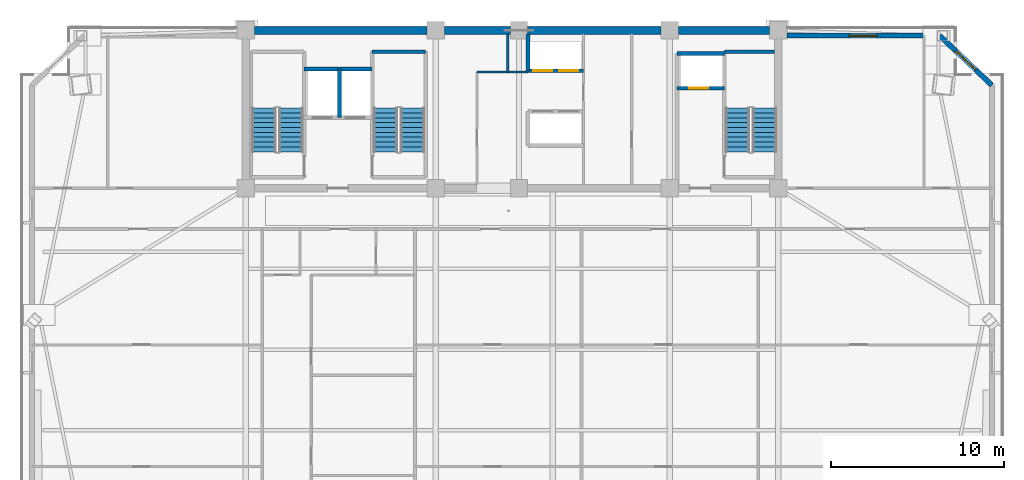
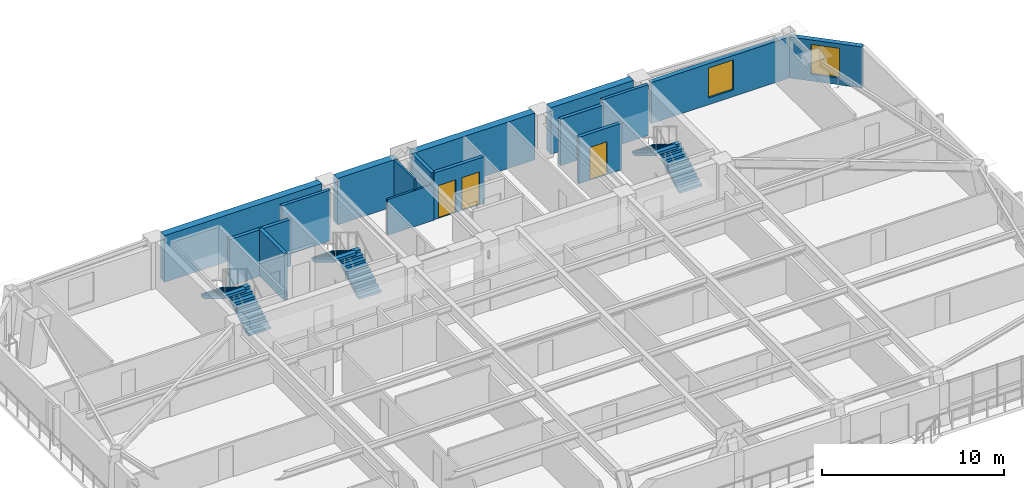
# One storey, part 11 of 16: 16 walls, 6 stair flights, 3 doors, 2 windows, 5 openings, 3 elements without a shape of their own.
"""IFC4 building model written with IfcOpenShell, lengths in metres."""

from ifc_helpers import new_model, si_unit, direction, frame, frame_2d, origin, place, context, subcontext, project, spatial, polyline, rectangle, outline, extrude, source, transform, mapped, material, layer, layer_set, type_object, element, fill, aggregate, save


model = new_model("IFC4")

# Units and contexts
model_context = context("Model", 3, precision=1e-05, world=origin(), true_north=direction((0.0, 1.0)))
body_context = subcontext(model_context, "Body", "Model", "MODEL_VIEW")
ifc_project = project(units=[si_unit("LENGTHUNIT", "METRE"), si_unit("AREAUNIT", "SQUARE_METRE"), si_unit("VOLUMEUNIT", "CUBIC_METRE"), si_unit("PLANEANGLEUNIT", "RADIAN"), si_unit("MASSUNIT", "GRAM", prefix="KILO")], contexts=[model_context])

# Site, building, storey
site_placement = place(None, origin())
site = spatial("IfcSite", under=ifc_project, at=site_placement, CompositionType="ELEMENT")
building_placement = place(site_placement, origin())
building = spatial("IfcBuilding", under=site, at=building_placement, Name="Giltprow Tower", CompositionType="ELEMENT")
storey_placement = place(building_placement, frame((0.0, 0.0, 233.800048828125)))
storey = spatial("IfcBuildingStorey", under=building, at=storey_placement, Name="L59", CompositionType="ELEMENT", Elevation=233.800048828125)

# Wall, opening, window
ifc_material_1 = material(Name="Precast concrete C40", Category="concrete")
ifc_layer_1 = layer(ifc_material_1, 0.300048828125, Name="Precast concrete C40")
ifc_layer_set_1 = layer_set([ifc_layer_1], Name="Precast concrete C40")
wall_type_1 = type_object("IfcWallType", Name="EW-NOTCH-CHAMFER-300", PredefinedType="SOLIDWALL", material=ifc_layer_set_1)
wall_1_placement = place(storey_placement, frame((62.866943359375, 43.39306640625, 0.0), z_axis=(0.0, 0.0, 1.0), x_axis=(-0.724946525113, 0.688805150769, 0.0)))
wall_1 = element("IfcWall", 1, at=wall_1_placement, inside=storey, type_object=wall_type_1, Name="L59 Corner Notch Wall NE", PredefinedType="SOLIDWALL", context=body_context, shape_type="SweptSolid", body=[
    extrude(rectangle(XDim=4.147705078125, YDim=0.300048828125, at=frame_2d((2.07373046875, 0.0))), origin(), (0.0, 0.0, 1.0), 2.75),
])
opening_1_placement = place(wall_1_placement, frame((1.27392578125, 0.0, 0.449951171875)))
opening_1 = element("IfcOpeningElement", 2, at=opening_1_placement, cuts=wall_1, Name="Opening WN17", PredefinedType="OPENING", context=body_context, shape_type="SweptSolid", body=[
    extrude(rectangle(XDim=1.60009765625, YDim=2.0, at=frame_2d((0.800048828125, 1.0))), frame((0.0, 0.159912109375, 0.0), z_axis=(0.0, -1.0, 0.0), x_axis=(1.0, 0.0, 0.0)), (0.0, 0.0, 1.0), 0.320068359375),
])
ifc_material_2 = material(Name="Insulated glass", Category="glass")
window_type = type_object("IfcWindowType", Name="WN-COR-1600x2000", PartitioningType="SINGLE_PANEL", PredefinedType="WINDOW", material=ifc_material_2)
shared_shape_1 = source(origin(), body_context, "Body", "SweptSolid", [
    extrude(rectangle(XDim=1.60009765625, YDim=2.0, at=frame_2d((0.800048828125, 1.0))), frame((0.0, 0.030029296875, 0.0), z_axis=(0.0, -1.0, 0.0), x_axis=(1.0, 0.0, 0.0)), (0.0, 0.0, 1.0), 0.06005859375),
])
window_1_placement = place(opening_1_placement, origin())
window_1 = element("IfcWindow", 3, at=window_1_placement, inside=storey, type_object=window_type, Name="L59 Corner Notch Window NE", OverallHeight=2.0, OverallWidth=1.60009765625, PartitioningType="SINGLE_PANEL", PredefinedType="WINDOW", context=body_context, shape_type="MappedRepresentation", body=[
    mapped(shared_shape_1, transform((0.0, 0.0, 0.0), x_axis=(1.0, 0.0, 0.0), y_axis=(0.0, 1.0, 0.0), z_axis=(0.0, 0.0, 1.0), scale=1.0)),
])
fill(opening_1, window_1)

ifc_layer_2 = layer(ifc_material_1, 0.280029296875, Name="Precast concrete C40")
ifc_layer_set_2 = layer_set([ifc_layer_2], Name="Precast concrete C40")
wall_type_2 = type_object("IfcWallType", Name="EW-TOW-BRONZE-280", PredefinedType="SOLIDWALL", material=ifc_layer_set_2)
wall_2_placement = place(storey_placement, frame((51.050048828125, 46.25, 0.0), z_axis=(0.0, 0.0, 1.0), x_axis=(1.0, 0.0, 0.0)))
wall_2 = element("IfcWall", 4, at=wall_2_placement, inside=storey, type_object=wall_type_2, Name="L59 North-East Wing Wall", PredefinedType="SOLIDWALL", context=body_context, shape_type="SweptSolid", body=[
    extrude(rectangle(XDim=8.81005859375, YDim=0.280029296875, at=frame_2d((4.405029296875, 0.0))), origin(), (0.0, 0.0, 1.0), 2.75),
])
opening_2_placement = place(wall_2_placement, frame((3.60498046875, 0.0, 0.449951171875)))
opening_2 = element("IfcOpeningElement", 5, at=opening_2_placement, cuts=wall_2, Name="Opening WN17", PredefinedType="OPENING", context=body_context, shape_type="SweptSolid", body=[
    extrude(rectangle(XDim=1.60009765625, YDim=2.0, at=frame_2d((0.800048828125, 1.0))), frame((0.0, 0.14990234375, 0.0), z_axis=(0.0, -1.0, 0.0), x_axis=(1.0, 0.0, 0.0)), (0.0, 0.0, 1.0), 0.300048828125),
])
window_2_placement = place(opening_2_placement, origin())
window_2 = element("IfcWindow", 6, at=window_2_placement, inside=storey, type_object=window_type, Name="L59 North-East Window", OverallHeight=2.0, OverallWidth=1.60009765625, PartitioningType="SINGLE_PANEL", PredefinedType="WINDOW", context=body_context, shape_type="MappedRepresentation", body=[
    mapped(shared_shape_1, transform((0.0, 0.0, 0.0), x_axis=(1.0, 0.0, 0.0), y_axis=(0.0, 1.0, 0.0), z_axis=(0.0, 0.0, 1.0), scale=1.0)),
])
fill(opening_2, window_2)

# Walls
ifc_material_3 = material(Name="Concrete C40", Category="concrete")
ifc_layer_3 = layer(ifc_material_3, 0.219970703125, Name="Concrete C40")
ifc_layer_set_3 = layer_set([ifc_layer_3], Name="Concrete C40")
wall_type_3 = type_object("IfcWallType", Name="IW-SHAFT-220", PredefinedType="SOLIDWALL", material=ifc_layer_set_3)
wall_3_placement = place(storey_placement, frame((25.260009765625, 41.52001953125, 0.0), z_axis=(0.0, 0.0, 1.0), x_axis=(0.0, 1.0, 0.0)))
element("IfcWall", 7, at=wall_3_placement, inside=storey, type_object=wall_type_3, Name="L59 FFL1-SVL1 Shaft Divider", PredefinedType="SOLIDWALL", context=body_context, shape_type="SweptSolid", body=[
    extrude(rectangle(XDim=2.800048828125, YDim=0.219970703125, at=frame_2d((1.39990234375, 0.0))), origin(), (0.0, 0.0, 1.0), 3.119873046875),
])
wall_4_placement = place(storey_placement, frame((23.219970703125, 44.320068359375, 0.0), z_axis=(0.0, 0.0, 1.0), x_axis=(1.0, 0.0, 0.0)))
element("IfcWall", 8, at=wall_4_placement, inside=storey, type_object=wall_type_3, Name="L59 FFL1-SVL1 Back Shaft Wall", PredefinedType="SOLIDWALL", context=body_context, shape_type="SweptSolid", body=[
    extrude(rectangle(XDim=3.919921875, YDim=0.219970703125, at=frame_2d((1.9599609375, 0.0))), origin(), (0.0, 0.0, 1.0), 3.119873046875),
])

# Wall, opening, door
wall_5_placement = place(storey_placement, frame((44.719970703125, 43.219970703125, 0.0), z_axis=(0.0, 0.0, 1.0), x_axis=(1.0, 0.0, 0.0)))
wall_5 = element("IfcWall", 9, at=wall_5_placement, inside=storey, type_object=wall_type_3, Name="L59 FFL2 Front Shaft Wall", PredefinedType="SOLIDWALL", context=body_context, shape_type="SweptSolid", body=[
    extrude(rectangle(XDim=2.719970703125, YDim=0.219970703125, at=frame_2d((1.35986328125, 0.0))), origin(), (0.0, 0.0, 1.0), 3.119873046875),
])
opening_3_placement = place(wall_5_placement, frame((0.699951171875, 0.0, 0.0)))
opening_3 = element("IfcOpeningElement", 10, at=opening_3_placement, cuts=wall_5, Name="Opening LD-11", PredefinedType="OPENING", context=body_context, shape_type="SweptSolid", body=[
    extrude(rectangle(XDim=1.10009765625, YDim=2.199951171875, at=frame_2d((0.550048828125, 1.10009765625))), frame((0.0, 0.119873046875, 0.0), z_axis=(0.0, -1.0, 0.0), x_axis=(1.0, 0.0, 0.0)), (0.0, 0.0, 1.0), 0.239990234375),
])
ifc_material_4 = material(Name="Stainless steel", Category="steel")
door_type = type_object("IfcDoorType", Name="DR-LIFT-LD1100", OperationType="SLIDING_TO_LEFT", PredefinedType="DOOR", material=ifc_material_4)
shared_shape_2 = source(origin(), body_context, "Body", "SweptSolid", [
    extrude(rectangle(XDim=1.10009765625, YDim=2.199951171875, at=frame_2d((0.550048828125, 1.10009765625))), frame((0.0, 0.02490234375, 0.0), z_axis=(0.0, -1.0, 0.0), x_axis=(1.0, 0.0, 0.0)), (0.0, 0.0, 1.0), 0.050048828125),
])
door_1_placement = place(opening_3_placement, origin())
door_1 = element("IfcDoor", 11, at=door_1_placement, inside=storey, type_object=door_type, Name="L59 FFL2 Landing Door", OperationType="SLIDING_TO_LEFT", OverallHeight=2.199951171875, OverallWidth=1.10009765625, PredefinedType="DOOR", context=body_context, shape_type="MappedRepresentation", body=[
    mapped(shared_shape_2, transform((0.0, 0.0, 0.0), x_axis=(1.0, 0.0, 0.0), y_axis=(0.0, 1.0, 0.0), z_axis=(0.0, 0.0, 1.0), scale=1.0)),
])
fill(opening_3, door_1)

# Wall
wall_6_placement = place(storey_placement, frame((44.719970703125, 45.219970703125, 0.0), z_axis=(0.0, 0.0, 1.0), x_axis=(1.0, 0.0, 0.0)))
element("IfcWall", 12, at=wall_6_placement, inside=storey, type_object=wall_type_3, Name="L59 FFL2 Back Shaft Wall", PredefinedType="SOLIDWALL", context=body_context, shape_type="SweptSolid", body=[
    extrude(rectangle(XDim=2.719970703125, YDim=0.219970703125, at=frame_2d((1.35986328125, 0.0))), origin(), (0.0, 0.0, 1.0), 3.119873046875),
])

# Wall, openings, doors
wall_7_placement = place(storey_placement, frame((36.1201171875, 44.219970703125, 0.0), z_axis=(0.0, 0.0, 1.0), x_axis=(1.0, 0.0, 0.0)))
wall_7 = element("IfcWall", 13, at=wall_7_placement, inside=storey, type_object=wall_type_3, Name="L59 High-Rise Lift Shaft Front Wall N", PredefinedType="SOLIDWALL", context=body_context, shape_type="SweptSolid", body=[
    extrude(rectangle(XDim=3.199951171875, YDim=0.219970703125, at=frame_2d((1.60009765625, 0.0))), origin(), (0.0, 0.0, 1.0), 3.119873046875),
])
opening_4_placement = place(wall_7_placement, frame((0.300048828125, 0.0, 0.0)))
opening_4 = element("IfcOpeningElement", 14, at=opening_4_placement, cuts=wall_7, Name="Opening LD-11", PredefinedType="OPENING", context=body_context, shape_type="SweptSolid", body=[
    extrude(rectangle(XDim=1.10009765625, YDim=2.199951171875, at=frame_2d((0.550048828125, 1.10009765625))), frame((0.0, 0.119873046875, 0.0), z_axis=(0.0, -1.0, 0.0), x_axis=(1.0, 0.0, 0.0)), (0.0, 0.0, 1.0), 0.239990234375),
])
opening_5_placement = place(wall_7_placement, frame((1.7900390625, 0.0, 0.0)))
opening_5 = element("IfcOpeningElement", 15, at=opening_5_placement, cuts=wall_7, Name="Opening LD-11", PredefinedType="OPENING", context=body_context, shape_type="SweptSolid", body=[
    extrude(rectangle(XDim=1.10009765625, YDim=2.199951171875, at=frame_2d((0.550048828125, 1.10009765625))), frame((0.0, 0.119873046875, 0.0), z_axis=(0.0, -1.0, 0.0), x_axis=(1.0, 0.0, 0.0)), (0.0, 0.0, 1.0), 0.239990234375),
])
door_2_placement = place(opening_4_placement, origin())
door_2 = element("IfcDoor", 16, at=door_2_placement, inside=storey, type_object=door_type, Name="L59 PL-H1 Landing Door", OperationType="SLIDING_TO_LEFT", OverallHeight=2.199951171875, OverallWidth=1.10009765625, PredefinedType="DOOR", context=body_context, shape_type="MappedRepresentation", body=[
    mapped(shared_shape_2, transform((0.0, 0.0, 0.0), x_axis=(1.0, 0.0, 0.0), y_axis=(0.0, 1.0, 0.0), z_axis=(0.0, 0.0, 1.0), scale=1.0)),
])
fill(opening_4, door_2)
door_3_placement = place(opening_5_placement, origin())
door_3 = element("IfcDoor", 17, at=door_3_placement, inside=storey, type_object=door_type, Name="L59 PL-H2 Landing Door", OperationType="SLIDING_TO_LEFT", OverallHeight=2.199951171875, OverallWidth=1.10009765625, PredefinedType="DOOR", context=body_context, shape_type="MappedRepresentation", body=[
    mapped(shared_shape_2, transform((0.0, 0.0, 0.0), x_axis=(1.0, 0.0, 0.0), y_axis=(0.0, 1.0, 0.0), z_axis=(0.0, 0.0, 1.0), scale=1.0)),
])
fill(opening_5, door_3)

# Walls
wall_8_placement = place(storey_placement, frame((36.1201171875, 44.219970703125, 0.0), z_axis=(0.0, 0.0, 1.0), x_axis=(0.0, 1.0, 0.0)))
element("IfcWall", 18, at=wall_8_placement, inside=storey, type_object=wall_type_3, Name="L59 High-Rise North Lift West Closure", PredefinedType="SOLIDWALL", context=body_context, shape_type="SweptSolid", body=[
    extrude(rectangle(XDim=2.125, YDim=0.219970703125, at=frame_2d((1.0625, 0.0))), origin(), (0.0, 0.0, 1.0), 3.119873046875),
])
ifc_layer_4 = layer(ifc_material_3, 0.199951171875, Name="Concrete C40")
ifc_layer_set_4 = layer_set([ifc_layer_4], Name="Concrete C40")
wall_type_4 = type_object("IfcWallType", Name="IW-STAIR-200", PredefinedType="SOLIDWALL", material=ifc_layer_set_4)
wall_9_placement = place(storey_placement, frame((27.139892578125, 45.320068359375, 0.0), z_axis=(0.0, 0.0, 1.0), x_axis=(1.0, 0.0, 0.0)))
element("IfcWall", 19, at=wall_9_placement, inside=storey, type_object=wall_type_4, Name="L59 Stair ST-2 North Bearing Wall", PredefinedType="SOLIDWALL", context=body_context, shape_type="SweptSolid", body=[
    extrude(rectangle(XDim=3.080078125, YDim=0.199951171875, at=frame_2d((1.5400390625, 0.0))), origin(), (0.0, 0.0, 1.0), 3.39990234375),
])
wall_10_placement = place(storey_placement, frame((47.43994140625, 45.320068359375, 0.0), z_axis=(0.0, 0.0, 1.0), x_axis=(1.0, 0.0, 0.0)))
element("IfcWall", 20, at=wall_10_placement, inside=storey, type_object=wall_type_4, Name="L59 Stair ST-3 North Bearing Wall", PredefinedType="SOLIDWALL", context=body_context, shape_type="SweptSolid", body=[
    extrude(rectangle(XDim=2.905029296875, YDim=0.199951171875, at=frame_2d((1.45263671875, 0.0))), origin(), (0.0, 0.0, 1.0), 3.39990234375),
])
ifc_material_5 = material(Name="Concrete C30", Category="concrete")
ifc_layer_5 = layer(ifc_material_5, 0.1298828125, Name="Concrete C30")
ifc_layer_set_5 = layer_set([ifc_layer_5], Name="Concrete C30")
wall_type_5 = type_object("IfcWallType", Name="IW-WET-130", PredefinedType="PARTITIONING", material=ifc_layer_set_5)
wall_11_placement = place(storey_placement, frame((34.949951171875, 44.14990234375, 0.0), z_axis=(0.0, 0.0, 1.0), x_axis=(0.0, 1.0, 0.0)))
element("IfcWall", 21, at=wall_11_placement, inside=storey, type_object=wall_type_5, Name="L59 Reclaimed West Pocket Wall E", PredefinedType="PARTITIONING", context=body_context, shape_type="SweptSolid", body=[
    extrude(rectangle(XDim=2.195068359375, YDim=0.1298828125, at=frame_2d((1.09765625, 0.0))), origin(), (0.0, 0.0, 1.0), 3.119873046875),
])
wall_12_placement = place(storey_placement, frame((33.179931640625, 44.14990234375, 0.0), z_axis=(0.0, 0.0, 1.0), x_axis=(1.0, 0.0, 0.0)))
element("IfcWall", 22, at=wall_12_placement, inside=storey, type_object=wall_type_5, Name="L59 Reclaimed West Pocket Wall S", PredefinedType="PARTITIONING", context=body_context, shape_type="SweptSolid", body=[
    extrude(rectangle(XDim=2.940185546875, YDim=0.1298828125, at=frame_2d((1.47021484375, 0.0))), origin(), (0.0, 0.0, 1.0), 2.405029296875),
])
ifc_material_6 = material(Name="Concrete C50", Category="concrete")
ifc_layer_6 = layer(ifc_material_6, 0.449951171875, Name="Concrete C50")
ifc_layer_set_6 = layer_set([ifc_layer_6], Name="Concrete C50")
wall_type_6 = type_object("IfcWallType", Name="SW-EXT-450-C50", PredefinedType="SHEAR", material=ifc_layer_set_6)
wall_13_placement = place(storey_placement, frame((20.35009765625, 46.550048828125, 0.0), z_axis=(0.0, 0.0, 1.0), x_axis=(1.0, 0.0, 0.0)))
element("IfcWall", 23, at=wall_13_placement, inside=storey, type_object=wall_type_6, Name="L59 North Rear Core Shear Wall 1", PredefinedType="SHEAR", context=body_context, shape_type="SweptSolid", body=[
    extrude(rectangle(XDim=9.949951171875, YDim=0.449951171875, at=frame_2d((4.97509765625, 0.0))), origin(), (0.0, 0.0, 1.0), 3.119873046875),
])
wall_14_placement = place(storey_placement, frame((31.300048828125, 46.550048828125, 0.0), z_axis=(0.0, 0.0, 1.0), x_axis=(1.0, 0.0, 0.0)))
element("IfcWall", 24, at=wall_14_placement, inside=storey, type_object=wall_type_6, Name="L59 North Rear Core Shear Wall 2", PredefinedType="SHEAR", context=body_context, shape_type="SweptSolid", body=[
    extrude(rectangle(XDim=3.800048828125, YDim=0.449951171875, at=frame_2d((1.89990234375, 0.0))), origin(), (0.0, 0.0, 1.0), 3.119873046875),
])
wall_15_placement = place(storey_placement, frame((36.10009765625, 46.550048828125, 0.0), z_axis=(0.0, 0.0, 1.0), x_axis=(1.0, 0.0, 0.0)))
element("IfcWall", 25, at=wall_15_placement, inside=storey, type_object=wall_type_6, Name="L59 North Rear Core Shear Wall 3", PredefinedType="SHEAR", context=body_context, shape_type="SweptSolid", body=[
    extrude(rectangle(XDim=7.699951171875, YDim=0.449951171875, at=frame_2d((3.85009765625, 0.0))), origin(), (0.0, 0.0, 1.0), 3.119873046875),
])
wall_16_placement = place(storey_placement, frame((44.800048828125, 46.550048828125, 0.0), z_axis=(0.0, 0.0, 1.0), x_axis=(1.0, 0.0, 0.0)))
element("IfcWall", 26, at=wall_16_placement, inside=storey, type_object=wall_type_6, Name="L59 North Rear Core Shear Wall 4", PredefinedType="SHEAR", context=body_context, shape_type="SweptSolid", body=[
    extrude(rectangle(XDim=5.25, YDim=0.449951171875, at=frame_2d((2.625, 0.0))), origin(), (0.0, 0.0, 1.0), 3.119873046875),
])

# Stair, stair flights
stair_type_1 = type_object("IfcStairType", Name="STR-ST-1", PredefinedType="HALF_TURN_STAIR", material=ifc_material_3)
stair_1_placement = place(storey_placement, origin())
stair_1 = element("IfcStair", 27, at=stair_1_placement, inside=storey, type_object=stair_type_1, Name="L59 Core Exit Stair ST-1", PredefinedType="HALF_TURN_STAIR")
stair_flight_type_1 = type_object("IfcStairFlightType", Name="SFL-ST-1", PredefinedType="STRAIGHT", material=ifc_material_3)
stair_flight_1_placement = place(storey_placement, frame((22.4599609375, 39.550048828125, 0.0), z_axis=(0.0, 0.0, 1.0), x_axis=(0.0, 1.0, 0.0)))
stair_flight_1 = element("IfcStairFlight", 28, at=stair_flight_1_placement, type_object=stair_flight_type_1, Name="ST-1 flight 1", NumberOfRisers=10, NumberOfTreads=9, PredefinedType="STRAIGHT", RiserHeight=0.17, TreadLength=0.28, context=body_context, shape_type="SweptSolid", body=[
    extrude(outline(polyline([(0.0, 0.0), (0.0, 0.169921875), (0.280029296875, 0.169921875), (0.280029296875, 0.340087890625), (0.56005859375, 0.340087890625), (0.56005859375, 0.510009765625), (0.840087890625, 0.510009765625), (0.840087890625, 0.679931640625), (1.1201171875, 0.679931640625), (1.1201171875, 0.85009765625), (1.39990234375, 0.85009765625), (1.39990234375, 1.02001953125), (1.679931640625, 1.02001953125), (1.679931640625, 1.18994140625), (1.9599609375, 1.18994140625), (1.9599609375, 1.360107421875), (2.239990234375, 1.360107421875), (2.239990234375, 1.530029296875), (2.52001953125, 1.530029296875), (2.52001953125, 1.699951171875), (2.52001953125, 1.354736328125), (0.288818359375, 0.0), (0.0, 0.0)])), frame((0.0, 0.699951171875, 0.0), z_axis=(0.0, -1.0, 0.0), x_axis=(1.0, 0.0, 0.0)), (0.0, 0.0, 1.0), 1.39990234375),
])
stair_flight_2_placement = place(storey_placement, frame((20.89990234375, 42.070068359375, 1.699951171875), z_axis=(0.0, 0.0, 1.0), x_axis=(0.0, -1.0, 0.0)))
stair_flight_2 = element("IfcStairFlight", 29, at=stair_flight_2_placement, type_object=stair_flight_type_1, Name="ST-1 flight 2", NumberOfRisers=10, NumberOfTreads=9, PredefinedType="STRAIGHT", RiserHeight=0.17, TreadLength=0.28, context=body_context, shape_type="SweptSolid", body=[
    extrude(outline(polyline([(0.0, 0.0), (0.0, 0.169921875), (0.280029296875, 0.169921875), (0.280029296875, 0.340087890625), (0.56005859375, 0.340087890625), (0.56005859375, 0.510009765625), (0.840087890625, 0.510009765625), (0.840087890625, 0.679931640625), (1.1201171875, 0.679931640625), (1.1201171875, 0.85009765625), (1.39990234375, 0.85009765625), (1.39990234375, 1.02001953125), (1.679931640625, 1.02001953125), (1.679931640625, 1.18994140625), (1.9599609375, 1.18994140625), (1.9599609375, 1.360107421875), (2.239990234375, 1.360107421875), (2.239990234375, 1.530029296875), (2.52001953125, 1.530029296875), (2.52001953125, 1.699951171875), (2.52001953125, 1.354736328125), (0.288818359375, 0.0), (0.0, 0.0)])), frame((0.0, 0.699951171875, 0.0), z_axis=(0.0, -1.0, 0.0), x_axis=(1.0, 0.0, 0.0)), (0.0, 0.0, 1.0), 1.39990234375),
])
aggregate(stair_1, [stair_flight_1, stair_flight_2])

stair_type_2 = type_object("IfcStairType", Name="STR-ST-2", PredefinedType="HALF_TURN_STAIR", material=ifc_material_3)
stair_2_placement = place(storey_placement, origin())
stair_2 = element("IfcStair", 30, at=stair_2_placement, inside=storey, type_object=stair_type_2, Name="L59 Core Exit Stair ST-2", PredefinedType="HALF_TURN_STAIR")
stair_flight_type_2 = type_object("IfcStairFlightType", Name="SFL-ST-2", PredefinedType="STRAIGHT", material=ifc_material_3)
stair_flight_3_placement = place(storey_placement, frame((29.4599609375, 39.550048828125, 0.0), z_axis=(0.0, 0.0, 1.0), x_axis=(0.0, 1.0, 0.0)))
stair_flight_3 = element("IfcStairFlight", 31, at=stair_flight_3_placement, type_object=stair_flight_type_2, Name="ST-2 flight 1", NumberOfRisers=10, NumberOfTreads=9, PredefinedType="STRAIGHT", RiserHeight=0.17, TreadLength=0.28, context=body_context, shape_type="SweptSolid", body=[
    extrude(outline(polyline([(0.0, 0.0), (0.0, 0.169921875), (0.280029296875, 0.169921875), (0.280029296875, 0.340087890625), (0.56005859375, 0.340087890625), (0.56005859375, 0.510009765625), (0.840087890625, 0.510009765625), (0.840087890625, 0.679931640625), (1.1201171875, 0.679931640625), (1.1201171875, 0.85009765625), (1.39990234375, 0.85009765625), (1.39990234375, 1.02001953125), (1.679931640625, 1.02001953125), (1.679931640625, 1.18994140625), (1.9599609375, 1.18994140625), (1.9599609375, 1.360107421875), (2.239990234375, 1.360107421875), (2.239990234375, 1.530029296875), (2.52001953125, 1.530029296875), (2.52001953125, 1.699951171875), (2.52001953125, 1.354736328125), (0.288818359375, 0.0), (0.0, 0.0)])), frame((0.0, 0.699951171875, 0.0), z_axis=(0.0, -1.0, 0.0), x_axis=(1.0, 0.0, 0.0)), (0.0, 0.0, 1.0), 1.39990234375),
])
stair_flight_4_placement = place(storey_placement, frame((27.89990234375, 42.070068359375, 1.699951171875), z_axis=(0.0, 0.0, 1.0), x_axis=(0.0, -1.0, 0.0)))
stair_flight_4 = element("IfcStairFlight", 32, at=stair_flight_4_placement, type_object=stair_flight_type_2, Name="ST-2 flight 2", NumberOfRisers=10, NumberOfTreads=9, PredefinedType="STRAIGHT", RiserHeight=0.17, TreadLength=0.28, context=body_context, shape_type="SweptSolid", body=[
    extrude(outline(polyline([(0.0, 0.0), (0.0, 0.169921875), (0.280029296875, 0.169921875), (0.280029296875, 0.340087890625), (0.56005859375, 0.340087890625), (0.56005859375, 0.510009765625), (0.840087890625, 0.510009765625), (0.840087890625, 0.679931640625), (1.1201171875, 0.679931640625), (1.1201171875, 0.85009765625), (1.39990234375, 0.85009765625), (1.39990234375, 1.02001953125), (1.679931640625, 1.02001953125), (1.679931640625, 1.18994140625), (1.9599609375, 1.18994140625), (1.9599609375, 1.360107421875), (2.239990234375, 1.360107421875), (2.239990234375, 1.530029296875), (2.52001953125, 1.530029296875), (2.52001953125, 1.699951171875), (2.52001953125, 1.354736328125), (0.288818359375, 0.0), (0.0, 0.0)])), frame((0.0, 0.699951171875, 0.0), z_axis=(0.0, -1.0, 0.0), x_axis=(1.0, 0.0, 0.0)), (0.0, 0.0, 1.0), 1.39990234375),
])
aggregate(stair_2, [stair_flight_3, stair_flight_4])

stair_type_3 = type_object("IfcStairType", Name="STR-ST-3", PredefinedType="HALF_TURN_STAIR", material=ifc_material_3)
stair_3_placement = place(storey_placement, origin())
stair_3 = element("IfcStair", 33, at=stair_3_placement, inside=storey, type_object=stair_type_3, Name="L59 Core Exit Stair ST-3", PredefinedType="HALF_TURN_STAIR")
stair_flight_type_3 = type_object("IfcStairFlightType", Name="SFL-ST-3", PredefinedType="STRAIGHT", material=ifc_material_3)
stair_flight_5_placement = place(storey_placement, frame((49.760009765625, 39.550048828125, 0.0), z_axis=(0.0, 0.0, 1.0), x_axis=(0.0, 1.0, 0.0)))
stair_flight_5 = element("IfcStairFlight", 34, at=stair_flight_5_placement, type_object=stair_flight_type_3, Name="ST-3 flight 1", NumberOfRisers=10, NumberOfTreads=9, PredefinedType="STRAIGHT", RiserHeight=0.17, TreadLength=0.28, context=body_context, shape_type="SweptSolid", body=[
    extrude(outline(polyline([(0.0, 0.0), (0.0, 0.169921875), (0.280029296875, 0.169921875), (0.280029296875, 0.340087890625), (0.56005859375, 0.340087890625), (0.56005859375, 0.510009765625), (0.840087890625, 0.510009765625), (0.840087890625, 0.679931640625), (1.1201171875, 0.679931640625), (1.1201171875, 0.85009765625), (1.39990234375, 0.85009765625), (1.39990234375, 1.02001953125), (1.679931640625, 1.02001953125), (1.679931640625, 1.18994140625), (1.9599609375, 1.18994140625), (1.9599609375, 1.360107421875), (2.239990234375, 1.360107421875), (2.239990234375, 1.530029296875), (2.52001953125, 1.530029296875), (2.52001953125, 1.699951171875), (2.52001953125, 1.354736328125), (0.288818359375, 0.0), (0.0, 0.0)])), frame((0.0, 0.699951171875, 0.0), z_axis=(0.0, -1.0, 0.0), x_axis=(1.0, 0.0, 0.0)), (0.0, 0.0, 1.0), 1.39990234375),
])
stair_flight_6_placement = place(storey_placement, frame((48.199951171875, 42.070068359375, 1.699951171875), z_axis=(0.0, 0.0, 1.0), x_axis=(0.0, -1.0, 0.0)))
stair_flight_6 = element("IfcStairFlight", 35, at=stair_flight_6_placement, type_object=stair_flight_type_3, Name="ST-3 flight 2", NumberOfRisers=10, NumberOfTreads=9, PredefinedType="STRAIGHT", RiserHeight=0.17, TreadLength=0.28, context=body_context, shape_type="SweptSolid", body=[
    extrude(outline(polyline([(0.0, 0.0), (0.0, 0.169921875), (0.280029296875, 0.169921875), (0.280029296875, 0.340087890625), (0.56005859375, 0.340087890625), (0.56005859375, 0.510009765625), (0.840087890625, 0.510009765625), (0.840087890625, 0.679931640625), (1.1201171875, 0.679931640625), (1.1201171875, 0.85009765625), (1.39990234375, 0.85009765625), (1.39990234375, 1.02001953125), (1.679931640625, 1.02001953125), (1.679931640625, 1.18994140625), (1.9599609375, 1.18994140625), (1.9599609375, 1.360107421875), (2.239990234375, 1.360107421875), (2.239990234375, 1.530029296875), (2.52001953125, 1.530029296875), (2.52001953125, 1.699951171875), (2.52001953125, 1.354736328125), (0.288818359375, 0.0), (0.0, 0.0)])), frame((0.0, 0.699951171875, 0.0), z_axis=(0.0, -1.0, 0.0), x_axis=(1.0, 0.0, 0.0)), (0.0, 0.0, 1.0), 1.39990234375),
])
aggregate(stair_3, [stair_flight_5, stair_flight_6])

save(model, "model.ifc")
